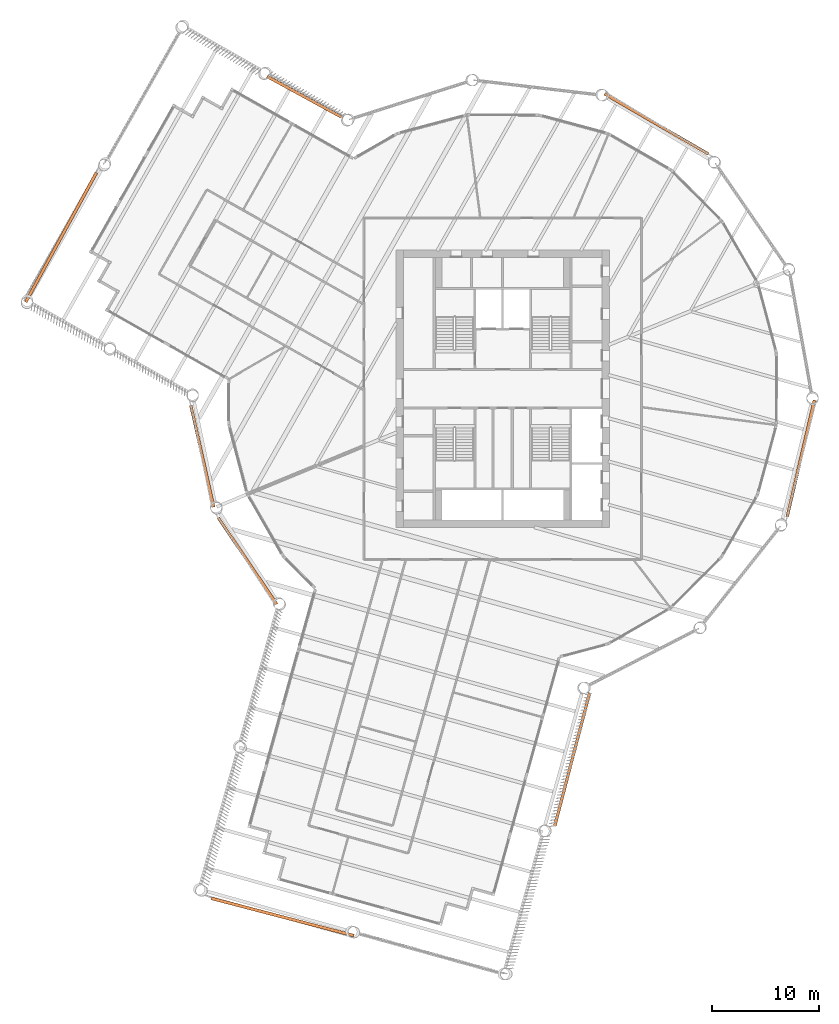
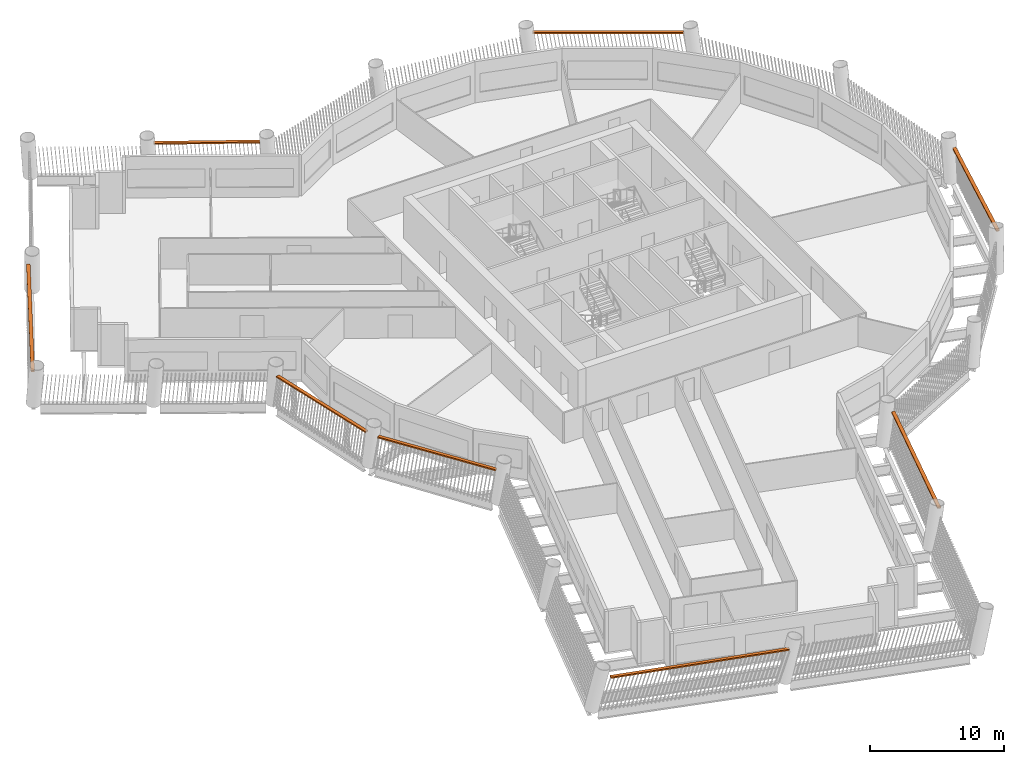
# One storey, part 15 of 15: 8 proxies.
"""IFC4 building model written with IfcOpenShell, lengths in metres."""

from ifc_helpers import new_model, si_unit, direction, frame, origin, origin_2d, place, context, subcontext, project, spatial, rectangle, extrude, material, type_object, element, save


model = new_model("IFC4")

# Units and contexts
model_context = context("Model", 3, precision=1e-05, world=origin(), true_north=direction((0.0, 1.0)))
body_context = subcontext(model_context, "Body", "Model", "MODEL_VIEW")
ifc_project = project(units=[si_unit("LENGTHUNIT", "METRE"), si_unit("AREAUNIT", "SQUARE_METRE"), si_unit("VOLUMEUNIT", "CUBIC_METRE"), si_unit("PLANEANGLEUNIT", "RADIAN"), si_unit("MASSUNIT", "GRAM", prefix="KILO")], contexts=[model_context])

# Site, building, storey
site_placement = place(None, origin())
site = spatial("IfcSite", under=ifc_project, at=site_placement, CompositionType="ELEMENT")
building_placement = place(site_placement, origin())
building = spatial("IfcBuilding", under=site, at=building_placement, Name="Tarsis Ring Headquarters", CompositionType="ELEMENT")
storey_placement = place(building_placement, frame((0.0, 0.0, 159.300048828125)))
storey = spatial("IfcBuildingStorey", under=building, at=storey_placement, Name="L36", CompositionType="ELEMENT", Elevation=159.300048828125)

# Proxies
ifc_material = material(Name="Structural steel S355", Category="steel")
building_element_proxy_type = type_object("IfcBuildingElementProxyType", Name="Screen bracket plate", PredefinedType="USERDEFINED", material=ifc_material)
proxy_1_placement = place(storey_placement, frame((-23.90234375, -16.137451171875, 2.949951171875), z_axis=(0.0, 0.0, 1.0), x_axis=(0.559554398062, -0.82879362667, 0.0)))
element("IfcBuildingElementProxy", 1, at=proxy_1_placement, inside=storey, type_object=building_element_proxy_type, Name="Screen bracket L36-00", ObjectType="Bracket", PredefinedType="USERDEFINED", context=body_context, shape_type="SweptSolid", body=[
    extrude(rectangle(XDim=9.771728515625, YDim=0.280029296875, at=origin_2d()), origin(), (0.0, 0.0, 1.0), 0.1201171875),
])
proxy_2_placement = place(storey_placement, frame((-20.596435546875, -49.49365234375, 2.949951171875), z_axis=(0.0, 0.0, 1.0), x_axis=(0.967444669093, -0.253082619404, 0.0)))
element("IfcBuildingElementProxy", 2, at=proxy_2_placement, inside=storey, type_object=building_element_proxy_type, Name="Screen bracket L36-03", ObjectType="Bracket", PredefinedType="USERDEFINED", context=body_context, shape_type="SweptSolid", body=[
    extrude(rectangle(XDim=13.800048828125, YDim=0.280029296875, at=origin_2d()), origin(), (0.0, 0.0, 1.0), 0.1201171875),
])
proxy_3_placement = place(storey_placement, frame((6.518310546875, -34.726806640625, 2.949951171875), z_axis=(0.0, 0.0, 1.0), x_axis=(0.25308270383, 0.967444647007, 0.0)))
element("IfcBuildingElementProxy", 3, at=proxy_3_placement, inside=storey, type_object=building_element_proxy_type, Name="Screen bracket L36-06", ObjectType="Bracket", PredefinedType="USERDEFINED", context=body_context, shape_type="SweptSolid", body=[
    extrude(rectangle(XDim=12.90234375, YDim=0.280029296875, at=origin_2d()), origin(), (0.0, 0.0, 1.0), 0.1201171875),
])
for number, where, z_axis, x_axis, name in (
    (4, (27.935546875, -6.538818359375, 2.949951171875), (0.0, 0.0, 1.0), (0.227904700066, 0.973683443265, 0.0), "Screen bracket L36-09"),
    (5, (14.40869140625, 24.81005859375, 2.949951171875), (0.0, 0.0, 1.0), (-0.864746180392, 0.502209163095, 0.0), "Screen bracket L36-12"),
):
    element("IfcBuildingElementProxy", number, at=place(storey_placement, frame(where, z_axis=z_axis, x_axis=x_axis)), inside=storey, type_object=building_element_proxy_type, Name=name, ObjectType="Bracket", PredefinedType="USERDEFINED", context=body_context, shape_type="SweptSolid", body=[
        extrude(rectangle(XDim=11.248779296875, YDim=0.280029296875, at=origin_2d()), origin(), (0.0, 0.0, 1.0), 0.1201171875),
    ])
proxy_4_placement = place(storey_placement, frame((-18.59912109375, 27.368408203125, 2.949951171875), z_axis=(0.0, 0.0, 1.0), x_axis=(-0.877481267766, 0.479610909718, 0.0)))
element("IfcBuildingElementProxy", 6, at=proxy_4_placement, inside=storey, type_object=building_element_proxy_type, Name="Screen bracket L36-15", ObjectType="Bracket", PredefinedType="USERDEFINED", context=body_context, shape_type="SweptSolid", body=[
    extrude(rectangle(XDim=7.90234375, YDim=0.280029296875, at=origin_2d()), origin(), (0.0, 0.0, 1.0), 0.1201171875),
])
proxy_5_placement = place(storey_placement, frame((-41.3642578125, 14.175537109375, 2.949951171875), z_axis=(0.0, 0.0, 1.0), x_axis=(-0.479610955663, -0.877481242653, 0.0)))
element("IfcBuildingElementProxy", 7, at=proxy_5_placement, inside=storey, type_object=building_element_proxy_type, Name="Screen bracket L36-18", ObjectType="Bracket", PredefinedType="USERDEFINED", context=body_context, shape_type="SweptSolid", body=[
    extrude(rectangle(XDim=13.800048828125, YDim=0.280029296875, at=origin_2d()), origin(), (0.0, 0.0, 1.0), 0.1201171875),
])
proxy_6_placement = place(storey_placement, frame((-28.13916015625, -6.318115234375, 2.949951171875), z_axis=(0.0, 0.0, 1.0), x_axis=(0.219080209026, -0.975706852499, 0.0)))
element("IfcBuildingElementProxy", 8, at=proxy_6_placement, inside=storey, type_object=building_element_proxy_type, Name="Screen bracket L36-21", ObjectType="Bracket", PredefinedType="USERDEFINED", context=body_context, shape_type="SweptSolid", body=[
    extrude(rectangle(XDim=9.771728515625, YDim=0.280029296875, at=origin_2d()), origin(), (0.0, 0.0, 1.0), 0.1201171875),
])

save(model, "model.ifc")
